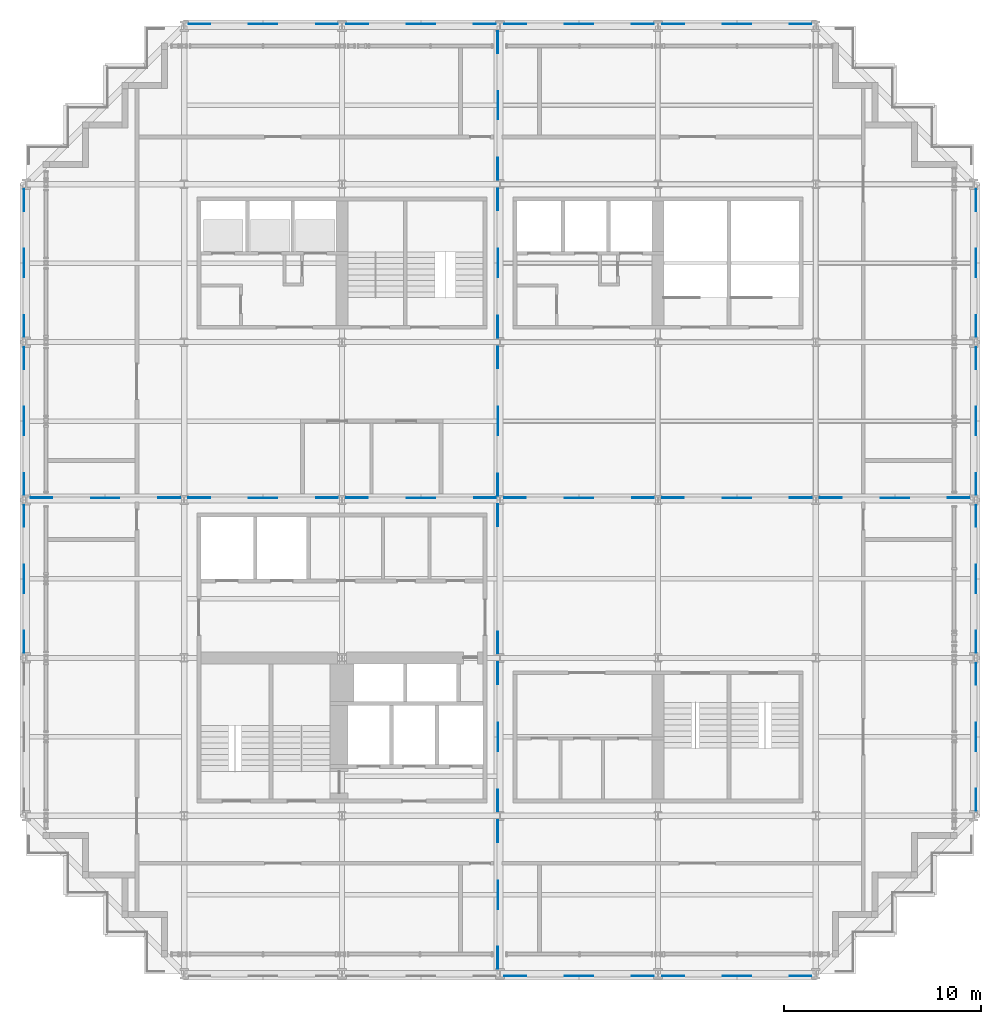
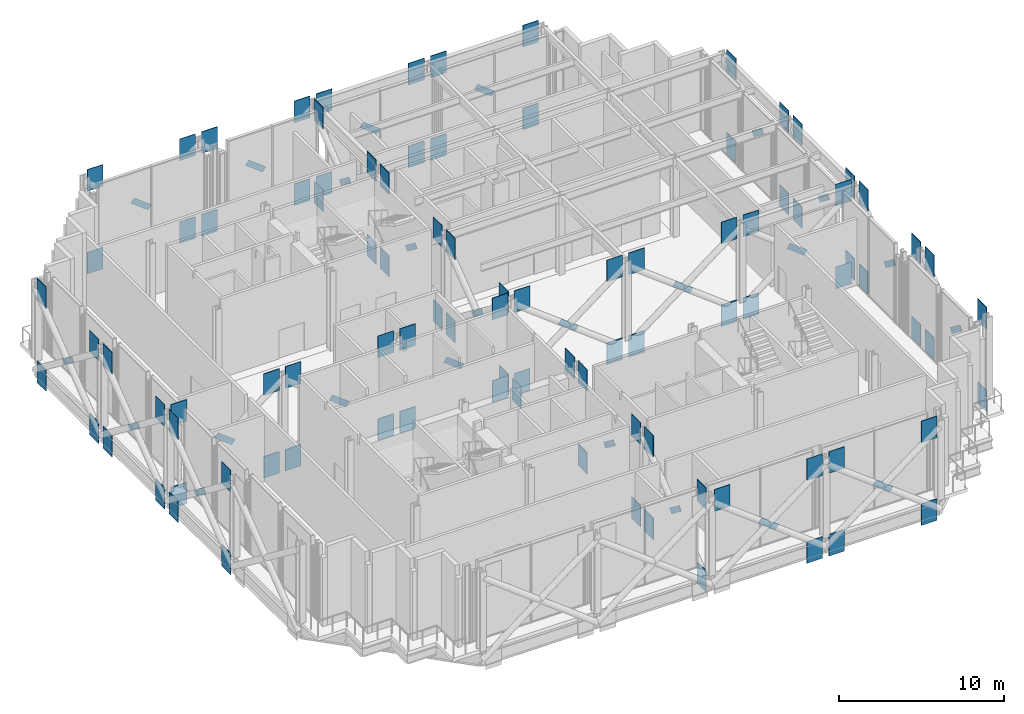
# One storey, part 22 of 25: 121 discrete accessories.
"""IFC4 building model written with IfcOpenShell, lengths in metres."""

from ifc_helpers import new_model, si_unit, direction, frame, origin, origin_2d, place, context, subcontext, project, spatial, rectangle, extrude, material, material_profile, profile_set, type_object, element, save


model = new_model("IFC4")

# Units and contexts
model_context = context("Model", 3, precision=1e-05, world=origin(), true_north=direction((0.0, 1.0)))
body_context = subcontext(model_context, "Body", "Model", "MODEL_VIEW")
ifc_project = project(units=[si_unit("LENGTHUNIT", "METRE"), si_unit("AREAUNIT", "SQUARE_METRE"), si_unit("VOLUMEUNIT", "CUBIC_METRE"), si_unit("PLANEANGLEUNIT", "RADIAN"), si_unit("MASSUNIT", "GRAM", prefix="KILO")], contexts=[model_context])

# Site, building, storey
site_placement = place(None, origin())
site = spatial("IfcSite", under=ifc_project, at=site_placement, CompositionType="ELEMENT")
building_placement = place(site_placement, origin())
building = spatial("IfcBuilding", under=site, at=building_placement, Name="Immortelle Media Tower", CompositionType="ELEMENT")
storey_placement = place(building_placement, frame((0.0, 0.0, 114.0)))
storey = spatial("IfcBuildingStorey", under=building, at=storey_placement, Name="L22", CompositionType="ELEMENT", Elevation=114.0)

# Discrete accessories
ifc_material = material(Name="Steel ASTM A572 Gr 50", Category="steel")
ifc_material_profile_1 = material_profile(ifc_material, rectangle(XDim=0.02392578125, YDim=0.406005859375, at=origin_2d()), Name="PL 24 x 406")
ifc_profile_set_1 = profile_set([ifc_material_profile_1], Name="Steel ASTM A572 Gr 50")
discrete_accessory_type_1 = type_object("IfcDiscreteAccessoryType", Name="Crossing plate XP-BT1 1500 x 406 x 24", PredefinedType="USERDEFINED", material=ifc_profile_set_1)
for number, where, z_axis, x_axis, name in (
    (1, (-0.113037109375, 19.404052734375, 2.7861328125), (0.0, 0.794616478363, -0.607111729679), (-1.0, 0.0, 0.0), "Crossing plate XP-BT1 of Belt truss 1/C-D A and Belt truss 1/C-D B"),
    (2, (-0.113037109375, 27.404052734375, 2.7861328125), (0.0, 0.794616478363, -0.607111729679), (-1.0, 0.0, 0.0), "Crossing plate XP-BT1 of Belt truss 1/D-E A and Belt truss 1/D-E B"),
    (3, (3.404052734375, 24.113037109375, 2.7861328125), (0.794616478363, 0.0, -0.607111729679), (0.0, 1.0, 0.0), "Crossing plate XP-BT1 of Belt truss D/1-2 A and Belt truss D/1-2 B"),
    (4, (-0.113037109375, 35.404052734375, 2.7861328125), (0.0, 0.794616478363, -0.607111729679), (-1.0, 0.0, 0.0), "Crossing plate XP-BT1 of Belt truss 1/E-F A and Belt truss 1/E-F B"),
    (5, (11.404052734375, 24.113037109375, 2.7861328125), (0.794616478363, 0.0, -0.607111729679), (0.0, 1.0, 0.0), "Crossing plate XP-BT1 of Belt truss D/2-3 A and Belt truss D/2-3 B"),
    (6, (11.404052734375, 48.113037109375, 2.7861328125), (0.794616478363, 0.0, -0.607111729679), (0.0, 1.0, 0.0), "Crossing plate XP-BT1 of Belt truss G/2-3 A and Belt truss G/2-3 B"),
    (7, (19.404052734375, 24.113037109375, 2.7861328125), (0.794616478363, 0.0, -0.607111729679), (0.0, 1.0, 0.0), "Crossing plate XP-BT1 of Belt truss D/3-4 A and Belt truss D/3-4 B"),
    (8, (19.404052734375, 48.113037109375, 2.7861328125), (0.794616478363, 0.0, -0.607111729679), (0.0, 1.0, 0.0), "Crossing plate XP-BT1 of Belt truss G/3-4 A and Belt truss G/3-4 B"),
    (9, (23.886962890625, 3.404052734375, 2.7861328125), (0.0, 0.794616478363, -0.607111729679), (-1.0, 0.0, 0.0), "Crossing plate XP-BT1 of Belt truss 4/A-B A and Belt truss 4/A-B B"),
    (10, (27.404052734375, -0.113037109375, 2.7861328125), (0.794616478363, 0.0, -0.607111729679), (0.0, 1.0, 0.0), "Crossing plate XP-BT1 of Belt truss A/4-5 A and Belt truss A/4-5 B"),
    (11, (23.886962890625, 11.404052734375, 2.7861328125), (0.0, 0.794616478363, -0.607111729679), (-1.0, 0.0, 0.0), "Crossing plate XP-BT1 of Belt truss 4/B-C A and Belt truss 4/B-C B"),
    (12, (23.886962890625, 27.404052734375, 2.7861328125), (0.0, 0.794616478363, -0.607111729679), (-1.0, 0.0, 0.0), "Crossing plate XP-BT1 of Belt truss 4/D-E A and Belt truss 4/D-E B"),
    (13, (27.404052734375, 24.113037109375, 2.7861328125), (0.794616478363, 0.0, -0.607111729679), (0.0, 1.0, 0.0), "Crossing plate XP-BT1 of Belt truss D/4-5 A and Belt truss D/4-5 B"),
    (14, (23.886962890625, 35.404052734375, 2.7861328125), (0.0, 0.794616478363, -0.607111729679), (-1.0, 0.0, 0.0), "Crossing plate XP-BT1 of Belt truss 4/E-F A and Belt truss 4/E-F B"),
    (15, (23.886962890625, 43.404052734375, 2.7861328125), (0.0, 0.794616478363, -0.607111729679), (-1.0, 0.0, 0.0), "Crossing plate XP-BT1 of Belt truss 4/F-G A and Belt truss 4/F-G B"),
    (16, (27.404052734375, 48.113037109375, 2.7861328125), (0.794616478363, 0.0, -0.607111729679), (0.0, 1.0, 0.0), "Crossing plate XP-BT1 of Belt truss G/4-5 A and Belt truss G/4-5 B"),
    (17, (35.404052734375, -0.113037109375, 2.7861328125), (0.794616478363, 0.0, -0.607111729679), (0.0, 1.0, 0.0), "Crossing plate XP-BT1 of Belt truss A/5-6 A and Belt truss A/5-6 B"),
    (18, (35.404052734375, 24.113037109375, 2.7861328125), (0.794616478363, 0.0, -0.607111729679), (0.0, 1.0, 0.0), "Crossing plate XP-BT1 of Belt truss D/5-6 A and Belt truss D/5-6 B"),
    (19, (35.404052734375, 48.113037109375, 2.7861328125), (0.794616478363, 0.0, -0.607111729679), (0.0, 1.0, 0.0), "Crossing plate XP-BT1 of Belt truss G/5-6 A and Belt truss G/5-6 B"),
    (20, (43.404052734375, 24.113037109375, 2.7861328125), (0.794616478363, 0.0, -0.607111729679), (0.0, 1.0, 0.0), "Crossing plate XP-BT1 of Belt truss D/6-7 A and Belt truss D/6-7 B"),
    (21, (48.113037109375, 11.404052734375, 2.7861328125), (0.0, 0.794616478363, -0.607111729679), (-1.0, 0.0, 0.0), "Crossing plate XP-BT1 of Belt truss 7/B-C A and Belt truss 7/B-C B"),
    (22, (48.113037109375, 19.404052734375, 2.7861328125), (0.0, 0.794616478363, -0.607111729679), (-1.0, 0.0, 0.0), "Crossing plate XP-BT1 of Belt truss 7/C-D A and Belt truss 7/C-D B"),
    (23, (48.113037109375, 27.404052734375, 2.7861328125), (0.0, 0.794616478363, -0.607111729679), (-1.0, 0.0, 0.0), "Crossing plate XP-BT1 of Belt truss 7/D-E A and Belt truss 7/D-E B"),
    (24, (48.113037109375, 35.404052734375, 2.7861328125), (0.0, 0.794616478363, -0.607111729679), (-1.0, 0.0, 0.0), "Crossing plate XP-BT1 of Belt truss 7/E-F A and Belt truss 7/E-F B"),
):
    element("IfcDiscreteAccessory", number, at=place(storey_placement, frame(where, z_axis=z_axis, x_axis=x_axis)), inside=storey, type_object=discrete_accessory_type_1, Name=name, ObjectType="CROSSING PLATE", PredefinedType="USERDEFINED", context=body_context, shape_type="SweptSolid", body=[
        extrude(rectangle(XDim=0.02392578125, YDim=0.406005859375, at=origin_2d()), origin(), (0.0, 0.0, 1.0), 1.5),
    ])
ifc_material_profile_2 = material_profile(ifc_material, rectangle(XDim=0.0400390625, YDim=1.60009765625, at=origin_2d()), Name="PL 40 x 1600")
ifc_profile_set_2 = profile_set([ifc_material_profile_2], Name="Steel ASTM A572 Gr 50")
discrete_accessory_type_2 = type_object("IfcDiscreteAccessoryType", Name="Gusset plate GP2 1100 x 1600 x 40", PredefinedType="USERDEFINED", material=ifc_profile_set_2)
for number, where, z_axis, x_axis, name in (
    (25, (-0.113037109375, 16.265380859375, -0.72509765625), (0.0, 1.0, 0.0), (-1.0, 0.0, 0.0), "Gusset plate GP2, lower end of Belt truss 1/C-D A"),
    (26, (-0.113037109375, 23.734619140625, 5.386474609375), (0.0, -1.0, 0.0), (1.0, 0.0, 0.0), "Gusset plate GP2, upper end of Belt truss 1/C-D A"),
    (27, (-0.113037109375, 23.734619140625, -0.72509765625), (0.0, -1.0, 0.0), (1.0, 0.0, 0.0), "Gusset plate GP2, lower end of Belt truss 1/C-D B"),
    (28, (-0.113037109375, 16.265380859375, 5.386474609375), (0.0, 1.0, 0.0), (-1.0, 0.0, 0.0), "Gusset plate GP2, upper end of Belt truss 1/C-D B"),
    (29, (0.220947265625, 24.113037109375, -0.72509765625), (1.0, 0.0, 0.0), (0.0, 1.0, 0.0), "Gusset plate GP2, lower end of Belt truss D/1-2 A"),
    (30, (7.79052734375, 24.113037109375, 5.386474609375), (-1.0, 0.0, 0.0), (0.0, -1.0, 0.0), "Gusset plate GP2, upper end of Belt truss D/1-2 A"),
    (31, (7.79052734375, 24.113037109375, -0.72509765625), (-1.0, 0.0, 0.0), (0.0, -1.0, 0.0), "Gusset plate GP2, lower end of Belt truss D/1-2 B"),
    (32, (0.220947265625, 24.113037109375, 5.386474609375), (1.0, 0.0, 0.0), (0.0, 1.0, 0.0), "Gusset plate GP2, upper end of Belt truss D/1-2 B"),
    (33, (-0.113037109375, 24.265380859375, -0.72509765625), (0.0, 1.0, 0.0), (-1.0, 0.0, 0.0), "Gusset plate GP2, lower end of Belt truss 1/D-E A"),
    (34, (-0.113037109375, 31.734619140625, 5.386474609375), (0.0, -1.0, 0.0), (1.0, 0.0, 0.0), "Gusset plate GP2, upper end of Belt truss 1/D-E A"),
    (35, (-0.113037109375, 31.734619140625, -0.72509765625), (0.0, -1.0, 0.0), (1.0, 0.0, 0.0), "Gusset plate GP2, lower end of Belt truss 1/D-E B"),
    (36, (-0.113037109375, 24.265380859375, 5.386474609375), (0.0, 1.0, 0.0), (-1.0, 0.0, 0.0), "Gusset plate GP2, upper end of Belt truss 1/D-E B"),
    (37, (-0.113037109375, 32.265380859375, -0.72509765625), (0.0, 1.0, 0.0), (-1.0, 0.0, 0.0), "Gusset plate GP2, lower end of Belt truss 1/E-F A"),
    (38, (-0.113037109375, 39.734619140625, 5.386474609375), (0.0, -1.0, 0.0), (1.0, 0.0, 0.0), "Gusset plate GP2, upper end of Belt truss 1/E-F A"),
    (39, (-0.113037109375, 39.734619140625, -0.72509765625), (0.0, -1.0, 0.0), (1.0, 0.0, 0.0), "Gusset plate GP2, lower end of Belt truss 1/E-F B"),
    (40, (-0.113037109375, 32.265380859375, 5.386474609375), (0.0, 1.0, 0.0), (-1.0, 0.0, 0.0), "Gusset plate GP2, upper end of Belt truss 1/E-F B"),
    (41, (8.20947265625, 24.113037109375, -0.72509765625), (1.0, 0.0, 0.0), (0.0, 1.0, 0.0), "Gusset plate GP2, lower end of Belt truss D/2-3 A"),
    (42, (15.79052734375, 24.113037109375, 5.386474609375), (-1.0, 0.0, 0.0), (0.0, -1.0, 0.0), "Gusset plate GP2, upper end of Belt truss D/2-3 A"),
    (43, (15.79052734375, 24.113037109375, -0.72509765625), (-1.0, 0.0, 0.0), (0.0, -1.0, 0.0), "Gusset plate GP2, lower end of Belt truss D/2-3 B"),
    (44, (8.20947265625, 24.113037109375, 5.386474609375), (1.0, 0.0, 0.0), (0.0, 1.0, 0.0), "Gusset plate GP2, upper end of Belt truss D/2-3 B"),
    (45, (8.220947265625, 48.113037109375, -0.72509765625), (1.0, 0.0, 0.0), (0.0, 1.0, 0.0), "Gusset plate GP2, lower end of Belt truss G/2-3 A"),
    (46, (15.779052734375, 48.113037109375, 5.386474609375), (-1.0, 0.0, 0.0), (0.0, -1.0, 0.0), "Gusset plate GP2, upper end of Belt truss G/2-3 A"),
    (47, (15.779052734375, 48.113037109375, -0.72509765625), (-1.0, 0.0, 0.0), (0.0, -1.0, 0.0), "Gusset plate GP2, lower end of Belt truss G/2-3 B"),
    (48, (8.220947265625, 48.113037109375, 5.386474609375), (1.0, 0.0, 0.0), (0.0, 1.0, 0.0), "Gusset plate GP2, upper end of Belt truss G/2-3 B"),
    (49, (16.20947265625, 24.113037109375, -0.72509765625), (1.0, 0.0, 0.0), (0.0, 1.0, 0.0), "Gusset plate GP2, lower end of Belt truss D/3-4 A"),
    (50, (23.79052734375, 24.113037109375, 5.386474609375), (-1.0, 0.0, 0.0), (0.0, -1.0, 0.0), "Gusset plate GP2, upper end of Belt truss D/3-4 A"),
    (51, (23.79052734375, 24.113037109375, -0.72509765625), (-1.0, 0.0, 0.0), (0.0, -1.0, 0.0), "Gusset plate GP2, lower end of Belt truss D/3-4 B"),
    (52, (16.20947265625, 24.113037109375, 5.386474609375), (1.0, 0.0, 0.0), (0.0, 1.0, 0.0), "Gusset plate GP2, upper end of Belt truss D/3-4 B"),
    (53, (16.220947265625, 48.113037109375, -0.72509765625), (1.0, 0.0, 0.0), (0.0, 1.0, 0.0), "Gusset plate GP2, lower end of Belt truss G/3-4 A"),
    (54, (23.779052734375, 48.113037109375, 5.386474609375), (-1.0, 0.0, 0.0), (0.0, -1.0, 0.0), "Gusset plate GP2, upper end of Belt truss G/3-4 A"),
    (55, (23.779052734375, 48.113037109375, -0.72509765625), (-1.0, 0.0, 0.0), (0.0, -1.0, 0.0), "Gusset plate GP2, lower end of Belt truss G/3-4 B"),
    (56, (16.220947265625, 48.113037109375, 5.386474609375), (1.0, 0.0, 0.0), (0.0, 1.0, 0.0), "Gusset plate GP2, upper end of Belt truss G/3-4 B"),
    (57, (31.779052734375, -0.113037109375, 5.386474609375), (-1.0, 0.0, 0.0), (0.0, -1.0, 0.0), "Gusset plate GP2, upper end of Belt truss A/4-5 A"),
    (58, (31.779052734375, -0.113037109375, -0.72509765625), (-1.0, 0.0, 0.0), (0.0, -1.0, 0.0), "Gusset plate GP2, lower end of Belt truss A/4-5 B"),
    (59, (24.220947265625, -0.113037109375, 5.386474609375), (1.0, 0.0, 0.0), (0.0, 1.0, 0.0), "Gusset plate GP2, upper end of Belt truss A/4-5 B"),
    (60, (23.886962890625, 0.265380859375, -0.72509765625), (0.0, 1.0, 0.0), (-1.0, 0.0, 0.0), "Gusset plate GP2, lower end of Belt truss 4/A-B A"),
):
    element("IfcDiscreteAccessory", number, at=place(storey_placement, frame(where, z_axis=z_axis, x_axis=x_axis)), inside=storey, type_object=discrete_accessory_type_2, Name=name, ObjectType="GUSSET PLATE", PredefinedType="USERDEFINED", context=body_context, shape_type="SweptSolid", body=[
        extrude(rectangle(XDim=0.0400390625, YDim=1.60009765625, at=origin_2d()), origin(), (0.0, 0.0, 1.0), 1.10009765625),
    ])
for number, where, z_axis, x_axis, name in (
    (61, (23.886962890625, 7.7724609375, 5.386474609375), (0.0, -1.0, 0.0), (1.0, 0.0, 0.0), "Gusset plate GP2, upper end of Belt truss 4/A-B A"),
    (62, (23.886962890625, 7.7724609375, -0.72509765625), (0.0, -1.0, 0.0), (1.0, 0.0, 0.0), "Gusset plate GP2, lower end of Belt truss 4/A-B B"),
):
    element("IfcDiscreteAccessory", number, at=place(storey_placement, frame(where, z_axis=z_axis, x_axis=x_axis)), inside=storey, type_object=discrete_accessory_type_2, Name=name, ObjectType="GUSSET PLATE", PredefinedType="USERDEFINED", context=body_context, shape_type="SweptSolid", body=[
        extrude(rectangle(XDim=0.0400390625, YDim=1.60009765625, at=origin_2d()), origin(), (0.0, 0.0, 1.0), 1.099853515625),
    ])
discrete_accessory_1_placement = place(storey_placement, frame((23.886962890625, 0.265380859375, 5.386474609375), z_axis=(0.0, 1.0, 0.0), x_axis=(-1.0, 0.0, 0.0)))
element("IfcDiscreteAccessory", 63, at=discrete_accessory_1_placement, inside=storey, type_object=discrete_accessory_type_2, Name="Gusset plate GP2, upper end of Belt truss 4/A-B B", ObjectType="GUSSET PLATE", PredefinedType="USERDEFINED", context=body_context, shape_type="SweptSolid", body=[
    extrude(rectangle(XDim=0.0400390625, YDim=1.60009765625, at=origin_2d()), origin(), (0.0, 0.0, 1.0), 1.10009765625),
])
for number, where, z_axis, x_axis, name in (
    (64, (23.886962890625, 8.2275390625, -0.72509765625), (0.0, 1.0, 0.0), (-1.0, 0.0, 0.0), "Gusset plate GP2, lower end of Belt truss 4/B-C A"),
    (65, (23.886962890625, 15.7724609375, 5.386474609375), (0.0, -1.0, 0.0), (1.0, 0.0, 0.0), "Gusset plate GP2, upper end of Belt truss 4/B-C A"),
    (66, (23.886962890625, 15.7724609375, -0.72509765625), (0.0, -1.0, 0.0), (1.0, 0.0, 0.0), "Gusset plate GP2, lower end of Belt truss 4/B-C B"),
    (67, (23.886962890625, 8.2275390625, 5.386474609375), (0.0, 1.0, 0.0), (-1.0, 0.0, 0.0), "Gusset plate GP2, upper end of Belt truss 4/B-C B"),
    (68, (23.886962890625, 23.7724609375, -0.72509765625), (0.0, -1.0, 0.0), (1.0, 0.0, 0.0), "Gusset plate GP2, lower end of Belt truss 4/C-D B"),
    (69, (23.886962890625, 16.2275390625, 5.386474609375), (0.0, 1.0, 0.0), (-1.0, 0.0, 0.0), "Gusset plate GP2, upper end of Belt truss 4/C-D B"),
):
    element("IfcDiscreteAccessory", number, at=place(storey_placement, frame(where, z_axis=z_axis, x_axis=x_axis)), inside=storey, type_object=discrete_accessory_type_2, Name=name, ObjectType="GUSSET PLATE", PredefinedType="USERDEFINED", context=body_context, shape_type="SweptSolid", body=[
        extrude(rectangle(XDim=0.0400390625, YDim=1.60009765625, at=origin_2d()), origin(), (0.0, 0.0, 1.0), 1.099853515625),
    ])
for number, where, z_axis, x_axis, name in (
    (70, (24.20947265625, 24.113037109375, -0.72509765625), (1.0, 0.0, 0.0), (0.0, 1.0, 0.0), "Gusset plate GP2, lower end of Belt truss D/4-5 A"),
    (71, (31.79052734375, 24.113037109375, 5.386474609375), (-1.0, 0.0, 0.0), (0.0, -1.0, 0.0), "Gusset plate GP2, upper end of Belt truss D/4-5 A"),
    (72, (31.79052734375, 24.113037109375, -0.72509765625), (-1.0, 0.0, 0.0), (0.0, -1.0, 0.0), "Gusset plate GP2, lower end of Belt truss D/4-5 B"),
    (73, (24.20947265625, 24.113037109375, 5.386474609375), (1.0, 0.0, 0.0), (0.0, 1.0, 0.0), "Gusset plate GP2, upper end of Belt truss D/4-5 B"),
):
    element("IfcDiscreteAccessory", number, at=place(storey_placement, frame(where, z_axis=z_axis, x_axis=x_axis)), inside=storey, type_object=discrete_accessory_type_2, Name=name, ObjectType="GUSSET PLATE", PredefinedType="USERDEFINED", context=body_context, shape_type="SweptSolid", body=[
        extrude(rectangle(XDim=0.0400390625, YDim=1.60009765625, at=origin_2d()), origin(), (0.0, 0.0, 1.0), 1.10009765625),
    ])
for number, where, z_axis, x_axis, name in (
    (74, (23.886962890625, 24.2275390625, -0.72509765625), (0.0, 1.0, 0.0), (-1.0, 0.0, 0.0), "Gusset plate GP2, lower end of Belt truss 4/D-E A"),
    (75, (23.886962890625, 31.7724609375, 5.386474609375), (0.0, -1.0, 0.0), (1.0, 0.0, 0.0), "Gusset plate GP2, upper end of Belt truss 4/D-E A"),
    (76, (23.886962890625, 31.7724609375, -0.72509765625), (0.0, -1.0, 0.0), (1.0, 0.0, 0.0), "Gusset plate GP2, lower end of Belt truss 4/D-E B"),
    (77, (23.886962890625, 24.2275390625, 5.386474609375), (0.0, 1.0, 0.0), (-1.0, 0.0, 0.0), "Gusset plate GP2, upper end of Belt truss 4/D-E B"),
    (78, (23.886962890625, 32.2275390625, -0.72509765625), (0.0, 1.0, 0.0), (-1.0, 0.0, 0.0), "Gusset plate GP2, lower end of Belt truss 4/E-F A"),
    (79, (23.886962890625, 39.7724609375, 5.386474609375), (0.0, -1.0, 0.0), (1.0, 0.0, 0.0), "Gusset plate GP2, upper end of Belt truss 4/E-F A"),
    (80, (23.886962890625, 39.7724609375, -0.72509765625), (0.0, -1.0, 0.0), (1.0, 0.0, 0.0), "Gusset plate GP2, lower end of Belt truss 4/E-F B"),
    (81, (23.886962890625, 32.2275390625, 5.386474609375), (0.0, 1.0, 0.0), (-1.0, 0.0, 0.0), "Gusset plate GP2, upper end of Belt truss 4/E-F B"),
    (82, (23.886962890625, 40.2275390625, -0.72509765625), (0.0, 1.0, 0.0), (-1.0, 0.0, 0.0), "Gusset plate GP2, lower end of Belt truss 4/F-G A"),
):
    element("IfcDiscreteAccessory", number, at=place(storey_placement, frame(where, z_axis=z_axis, x_axis=x_axis)), inside=storey, type_object=discrete_accessory_type_2, Name=name, ObjectType="GUSSET PLATE", PredefinedType="USERDEFINED", context=body_context, shape_type="SweptSolid", body=[
        extrude(rectangle(XDim=0.0400390625, YDim=1.60009765625, at=origin_2d()), origin(), (0.0, 0.0, 1.0), 1.099853515625),
    ])
for number, where, z_axis, x_axis, name in (
    (83, (23.886962890625, 47.734619140625, 5.386474609375), (0.0, -1.0, 0.0), (1.0, 0.0, 0.0), "Gusset plate GP2, upper end of Belt truss 4/F-G A"),
    (84, (23.886962890625, 47.734619140625, -0.72509765625), (0.0, -1.0, 0.0), (1.0, 0.0, 0.0), "Gusset plate GP2, lower end of Belt truss 4/F-G B"),
):
    element("IfcDiscreteAccessory", number, at=place(storey_placement, frame(where, z_axis=z_axis, x_axis=x_axis)), inside=storey, type_object=discrete_accessory_type_2, Name=name, ObjectType="GUSSET PLATE", PredefinedType="USERDEFINED", context=body_context, shape_type="SweptSolid", body=[
        extrude(rectangle(XDim=0.0400390625, YDim=1.60009765625, at=origin_2d()), origin(), (0.0, 0.0, 1.0), 1.10009765625),
    ])
discrete_accessory_2_placement = place(storey_placement, frame((23.886962890625, 40.2275390625, 5.386474609375), z_axis=(0.0, 1.0, 0.0), x_axis=(-1.0, 0.0, 0.0)))
element("IfcDiscreteAccessory", 85, at=discrete_accessory_2_placement, inside=storey, type_object=discrete_accessory_type_2, Name="Gusset plate GP2, upper end of Belt truss 4/F-G B", ObjectType="GUSSET PLATE", PredefinedType="USERDEFINED", context=body_context, shape_type="SweptSolid", body=[
    extrude(rectangle(XDim=0.0400390625, YDim=1.60009765625, at=origin_2d()), origin(), (0.0, 0.0, 1.0), 1.099853515625),
])
for number, where, z_axis, x_axis, name in (
    (86, (24.220947265625, 48.113037109375, -0.72509765625), (1.0, 0.0, 0.0), (0.0, 1.0, 0.0), "Gusset plate GP2, lower end of Belt truss G/4-5 A"),
    (87, (31.779052734375, 48.113037109375, 5.386474609375), (-1.0, 0.0, 0.0), (0.0, -1.0, 0.0), "Gusset plate GP2, upper end of Belt truss G/4-5 A"),
    (88, (31.779052734375, 48.113037109375, -0.72509765625), (-1.0, 0.0, 0.0), (0.0, -1.0, 0.0), "Gusset plate GP2, lower end of Belt truss G/4-5 B"),
    (89, (24.220947265625, 48.113037109375, 5.386474609375), (1.0, 0.0, 0.0), (0.0, 1.0, 0.0), "Gusset plate GP2, upper end of Belt truss G/4-5 B"),
    (90, (32.220947265625, -0.113037109375, -0.72509765625), (1.0, 0.0, 0.0), (0.0, 1.0, 0.0), "Gusset plate GP2, lower end of Belt truss A/5-6 A"),
    (91, (39.779052734375, -0.113037109375, 5.386474609375), (-1.0, 0.0, 0.0), (0.0, -1.0, 0.0), "Gusset plate GP2, upper end of Belt truss A/5-6 A"),
    (92, (39.779052734375, -0.113037109375, -0.72509765625), (-1.0, 0.0, 0.0), (0.0, -1.0, 0.0), "Gusset plate GP2, lower end of Belt truss A/5-6 B"),
    (93, (32.220947265625, -0.113037109375, 5.386474609375), (1.0, 0.0, 0.0), (0.0, 1.0, 0.0), "Gusset plate GP2, upper end of Belt truss A/5-6 B"),
    (94, (32.20947265625, 24.113037109375, -0.72509765625), (1.0, 0.0, 0.0), (0.0, 1.0, 0.0), "Gusset plate GP2, lower end of Belt truss D/5-6 A"),
    (95, (39.79052734375, 24.113037109375, 5.386474609375), (-1.0, 0.0, 0.0), (0.0, -1.0, 0.0), "Gusset plate GP2, upper end of Belt truss D/5-6 A"),
    (96, (39.79052734375, 24.113037109375, -0.72509765625), (-1.0, 0.0, 0.0), (0.0, -1.0, 0.0), "Gusset plate GP2, lower end of Belt truss D/5-6 B"),
    (97, (32.20947265625, 24.113037109375, 5.386474609375), (1.0, 0.0, 0.0), (0.0, 1.0, 0.0), "Gusset plate GP2, upper end of Belt truss D/5-6 B"),
    (98, (32.220947265625, 48.113037109375, -0.72509765625), (1.0, 0.0, 0.0), (0.0, 1.0, 0.0), "Gusset plate GP2, lower end of Belt truss G/5-6 A"),
    (99, (39.779052734375, 48.113037109375, 5.386474609375), (-1.0, 0.0, 0.0), (0.0, -1.0, 0.0), "Gusset plate GP2, upper end of Belt truss G/5-6 A"),
    (100, (39.779052734375, 48.113037109375, -0.72509765625), (-1.0, 0.0, 0.0), (0.0, -1.0, 0.0), "Gusset plate GP2, lower end of Belt truss G/5-6 B"),
    (101, (32.220947265625, 48.113037109375, 5.386474609375), (1.0, 0.0, 0.0), (0.0, 1.0, 0.0), "Gusset plate GP2, upper end of Belt truss G/5-6 B"),
    (102, (40.20947265625, 24.113037109375, -0.72509765625), (1.0, 0.0, 0.0), (0.0, 1.0, 0.0), "Gusset plate GP2, lower end of Belt truss D/6-7 A"),
    (103, (47.779052734375, 24.113037109375, 5.386474609375), (-1.0, 0.0, 0.0), (0.0, -1.0, 0.0), "Gusset plate GP2, upper end of Belt truss D/6-7 A"),
    (104, (47.779052734375, 24.113037109375, -0.72509765625), (-1.0, 0.0, 0.0), (0.0, -1.0, 0.0), "Gusset plate GP2, lower end of Belt truss D/6-7 B"),
    (105, (40.20947265625, 24.113037109375, 5.386474609375), (1.0, 0.0, 0.0), (0.0, 1.0, 0.0), "Gusset plate GP2, upper end of Belt truss D/6-7 B"),
    (106, (48.113037109375, 8.265380859375, -0.72509765625), (0.0, 1.0, 0.0), (-1.0, 0.0, 0.0), "Gusset plate GP2, lower end of Belt truss 7/B-C A"),
    (107, (48.113037109375, 15.734619140625, 5.386474609375), (0.0, -1.0, 0.0), (1.0, 0.0, 0.0), "Gusset plate GP2, upper end of Belt truss 7/B-C A"),
    (108, (48.113037109375, 15.734619140625, -0.72509765625), (0.0, -1.0, 0.0), (1.0, 0.0, 0.0), "Gusset plate GP2, lower end of Belt truss 7/B-C B"),
    (109, (48.113037109375, 8.265380859375, 5.386474609375), (0.0, 1.0, 0.0), (-1.0, 0.0, 0.0), "Gusset plate GP2, upper end of Belt truss 7/B-C B"),
    (110, (48.113037109375, 16.265380859375, -0.72509765625), (0.0, 1.0, 0.0), (-1.0, 0.0, 0.0), "Gusset plate GP2, lower end of Belt truss 7/C-D A"),
    (111, (48.113037109375, 23.734619140625, 5.386474609375), (0.0, -1.0, 0.0), (1.0, 0.0, 0.0), "Gusset plate GP2, upper end of Belt truss 7/C-D A"),
    (112, (48.113037109375, 23.734619140625, -0.72509765625), (0.0, -1.0, 0.0), (1.0, 0.0, 0.0), "Gusset plate GP2, lower end of Belt truss 7/C-D B"),
    (113, (48.113037109375, 16.265380859375, 5.386474609375), (0.0, 1.0, 0.0), (-1.0, 0.0, 0.0), "Gusset plate GP2, upper end of Belt truss 7/C-D B"),
    (114, (48.113037109375, 24.265380859375, -0.72509765625), (0.0, 1.0, 0.0), (-1.0, 0.0, 0.0), "Gusset plate GP2, lower end of Belt truss 7/D-E A"),
    (115, (48.113037109375, 31.734619140625, 5.386474609375), (0.0, -1.0, 0.0), (1.0, 0.0, 0.0), "Gusset plate GP2, upper end of Belt truss 7/D-E A"),
    (116, (48.113037109375, 31.734619140625, -0.72509765625), (0.0, -1.0, 0.0), (1.0, 0.0, 0.0), "Gusset plate GP2, lower end of Belt truss 7/D-E B"),
    (117, (48.113037109375, 24.265380859375, 5.386474609375), (0.0, 1.0, 0.0), (-1.0, 0.0, 0.0), "Gusset plate GP2, upper end of Belt truss 7/D-E B"),
    (118, (48.113037109375, 32.265380859375, -0.72509765625), (0.0, 1.0, 0.0), (-1.0, 0.0, 0.0), "Gusset plate GP2, lower end of Belt truss 7/E-F A"),
    (119, (48.113037109375, 39.734619140625, 5.386474609375), (0.0, -1.0, 0.0), (1.0, 0.0, 0.0), "Gusset plate GP2, upper end of Belt truss 7/E-F A"),
    (120, (48.113037109375, 39.734619140625, -0.72509765625), (0.0, -1.0, 0.0), (1.0, 0.0, 0.0), "Gusset plate GP2, lower end of Belt truss 7/E-F B"),
    (121, (48.113037109375, 32.265380859375, 5.386474609375), (0.0, 1.0, 0.0), (-1.0, 0.0, 0.0), "Gusset plate GP2, upper end of Belt truss 7/E-F B"),
):
    element("IfcDiscreteAccessory", number, at=place(storey_placement, frame(where, z_axis=z_axis, x_axis=x_axis)), inside=storey, type_object=discrete_accessory_type_2, Name=name, ObjectType="GUSSET PLATE", PredefinedType="USERDEFINED", context=body_context, shape_type="SweptSolid", body=[
        extrude(rectangle(XDim=0.0400390625, YDim=1.60009765625, at=origin_2d()), origin(), (0.0, 0.0, 1.0), 1.10009765625),
    ])

save(model, "model.ifc")
